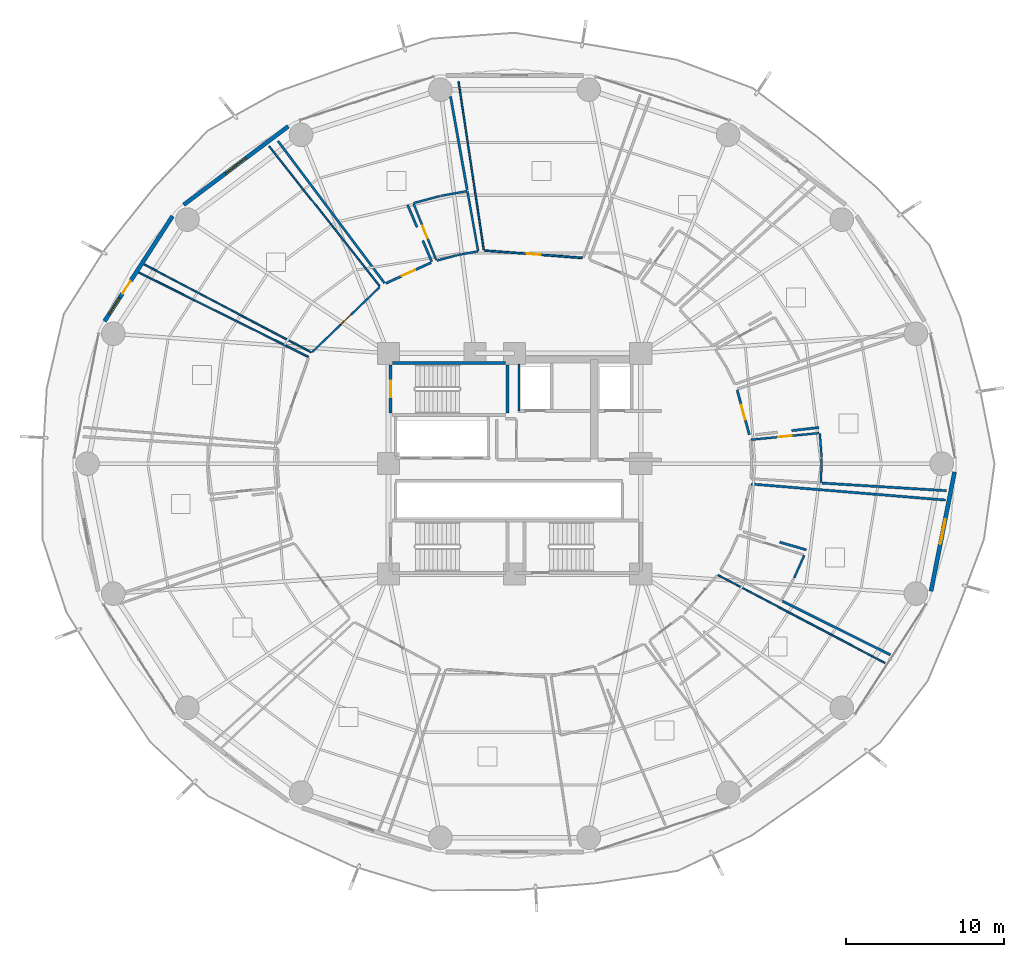
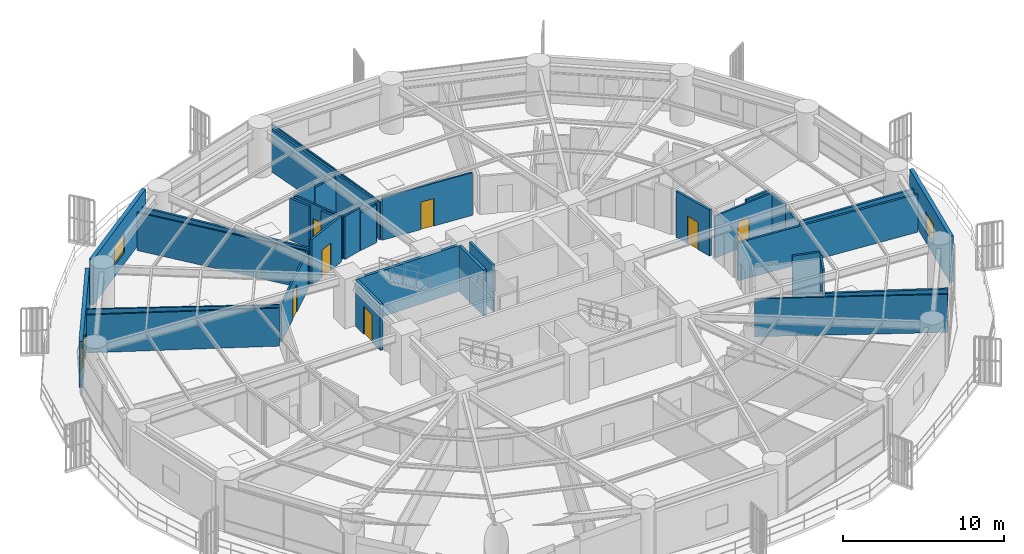
# One storey, part 25 of 32: 35 walls, 8 doors, 3 windows, 11 openings.
"""IFC4 building model written with IfcOpenShell, lengths in metres."""

from ifc_helpers import new_model, si_unit, direction, frame, frame_2d, origin, place, context, subcontext, project, spatial, rectangle, extrude, material, layer, layer_set, type_object, element, fill, save


model = new_model("IFC4")

# Units and contexts
model_context = context("Model", 3, precision=1e-05, world=origin(), true_north=direction((0.0, 1.0)))
body_context = subcontext(model_context, "Body", "Model", "MODEL_VIEW")
ifc_project = project(units=[si_unit("LENGTHUNIT", "METRE"), si_unit("AREAUNIT", "SQUARE_METRE"), si_unit("VOLUMEUNIT", "CUBIC_METRE"), si_unit("PLANEANGLEUNIT", "RADIAN"), si_unit("MASSUNIT", "GRAM", prefix="KILO")], contexts=[model_context])

# Site, building, storey
site_placement = place(None, origin())
site = spatial("IfcSite", under=ifc_project, at=site_placement, CompositionType="ELEMENT")
building_placement = place(site_placement, origin())
building = spatial("IfcBuilding", under=site, at=building_placement, Name="Kelanora Arch Commons", CompositionType="ELEMENT")
storey_placement = place(building_placement, frame((0.0, 0.0, 60.0)))
storey = spatial("IfcBuildingStorey", under=building, at=storey_placement, Name="L15", CompositionType="ELEMENT", Elevation=60.0)

# Wall
ifc_material_1 = material(Name="Autoclaved aerated concrete blockwork with fire plaster", Category="masonry")
ifc_layer_1 = layer(ifc_material_1, 0.14990234375)
ifc_layer_set_1 = layer_set([ifc_layer_1], Name="Autoclaved aerated concrete blockwork with fire plaster")
wall_type_1 = type_object("IfcWallType", Name="W-COMP-150", PredefinedType="PARTITIONING", material=ifc_layer_set_1)
wall_1_placement = place(storey_placement, frame((74.280029296875, 61.35009765625, 0.0), z_axis=(0.0, 0.0, 1.0), x_axis=(0.0, 1.0, 0.0)))
element("IfcWall", 1, at=wall_1_placement, inside=storey, type_object=wall_type_1, Name="Firefighting Lift 1 West Shaft Wall L15", PredefinedType="PARTITIONING", context=body_context, shape_type="SweptSolid", body=[
    extrude(rectangle(XDim=2.969970703125, YDim=0.14990234375, at=frame_2d((1.48486328125, 0.0))), origin(), (0.0, 0.0, 1.0), 3.47998046875),
])

# Wall, opening, door
wall_2_placement = place(storey_placement, frame((68.70849609375, 70.7509765625, 0.0), z_axis=(0.0, 0.0, 1.0), x_axis=(-0.909329201607, -0.416077400378, 0.0)))
wall_2 = element("IfcWall", 2, at=wall_2_placement, inside=storey, type_object=wall_type_1, Name="Co-Living Studio L15-04 Entry Partition", PredefinedType="PARTITIONING", context=body_context, shape_type="SweptSolid", body=[
    extrude(rectangle(XDim=3.160400390625, YDim=0.14990234375, at=frame_2d((1.580078125, 0.0))), origin(), (0.0, 0.0, 1.0), 3.47998046875),
])
opening_1_placement = place(wall_2_placement, frame((1.10498046875, 0.0, 0.0)))
opening_1 = element("IfcOpeningElement", 3, at=opening_1_placement, cuts=wall_2, Name="Opening D-CLU1", PredefinedType="OPENING", context=body_context, shape_type="SweptSolid", body=[
    extrude(rectangle(XDim=0.949951171875, YDim=2.080078125, at=frame_2d((0.47509765625, 1.0400390625))), frame((0.0, 0.0849609375, 0.0), z_axis=(0.0, -1.0, 0.0), x_axis=(1.0, 0.0, 0.0)), (0.0, 0.0, 1.0), 0.169921875),
])
ifc_material_2 = material(Name="Solid-core acoustic timber cluster entry fire door", Category="wood")
door_type_1 = type_object("IfcDoorType", Name="D-CLU-95", OperationType="NOTDEFINED", PredefinedType="DOOR", material=ifc_material_2)
door_1_placement = place(opening_1_placement, origin())
door_1 = element("IfcDoor", 4, at=door_1_placement, inside=storey, type_object=door_type_1, Name="Co-Living Studio L15-04 Door", OperationType="SINGLE_SWING_RIGHT", OverallHeight=2.080078125, OverallWidth=0.949951171875, PredefinedType="DOOR", context=body_context, shape_type="SweptSolid", body=[
    extrude(rectangle(XDim=0.949951171875, YDim=2.080078125, at=frame_2d((0.47509765625, 1.0400390625))), frame((0.0, 0.02490234375, 0.0), z_axis=(0.0, -1.0, 0.0), x_axis=(1.0, 0.0, 0.0)), (0.0, 0.0, 1.0), 0.050048828125),
])
fill(opening_1, door_1)

wall_3_placement = place(storey_placement, frame((88.88427734375, 59.844970703125, 0.0), z_axis=(0.0, 0.0, 1.0), x_axis=(-0.263653235341, 0.964617526014, 0.0)))
wall_3 = element("IfcWall", 5, at=wall_3_placement, inside=storey, type_object=wall_type_1, Name="Co-Living Studio L15-14 Entry Partition", PredefinedType="PARTITIONING", context=body_context, shape_type="SweptSolid", body=[
    extrude(rectangle(XDim=2.929931640625, YDim=0.14990234375, at=frame_2d((1.46484375, 0.0))), origin(), (0.0, 0.0, 1.0), 3.47998046875),
])
opening_2_placement = place(wall_3_placement, frame((0.989990234375, 0.0, 0.0)))
opening_2 = element("IfcOpeningElement", 6, at=opening_2_placement, cuts=wall_3, Name="Opening D-CLU1", PredefinedType="OPENING", context=body_context, shape_type="SweptSolid", body=[
    extrude(rectangle(XDim=0.949951171875, YDim=2.080078125, at=frame_2d((0.47509765625, 1.0400390625))), frame((0.0, 0.0849609375, 0.0), z_axis=(0.0, -1.0, 0.0), x_axis=(1.0, 0.0, 0.0)), (0.0, 0.0, 1.0), 0.169921875),
])
door_2_placement = place(opening_2_placement, origin())
door_2 = element("IfcDoor", 7, at=door_2_placement, inside=storey, type_object=door_type_1, Name="Co-Living Studio L15-14 Door", OperationType="SINGLE_SWING_LEFT", OverallHeight=2.080078125, OverallWidth=0.949951171875, PredefinedType="DOOR", context=body_context, shape_type="SweptSolid", body=[
    extrude(rectangle(XDim=0.949951171875, YDim=2.080078125, at=frame_2d((0.47509765625, 1.0400390625))), frame((0.0, 0.02490234375, 0.0), z_axis=(0.0, -1.0, 0.0), x_axis=(1.0, 0.0, 0.0)), (0.0, 0.0, 1.0), 0.050048828125),
])
fill(opening_2, door_2)

# Walls
wall_4_placement = place(storey_placement, frame((65.756103515625, 69.443115234375, 0.0), z_axis=(0.0, 0.0, 1.0), x_axis=(-0.599892569248, 0.800080561794, 0.0)))
element("IfcWall", 8, at=wall_4_placement, inside=storey, type_object=wall_type_1, Name="Co-Living Studio L15-04 Enclosure Partition 2", PredefinedType="PARTITIONING", context=body_context, shape_type="SweptSolid", body=[
    extrude(rectangle(XDim=11.2724609375, YDim=0.14990234375, at=frame_2d((5.63623046875, 0.0))), origin(), (0.0, 0.0, 1.0), 2.875),
])
wall_5_placement = place(storey_placement, frame((69.938720703125, 81.278564453125, 0.0), z_axis=(0.0, 0.0, 1.0), x_axis=(0.175728719673, -0.98443863043, 0.0)))
element("IfcWall", 9, at=wall_5_placement, inside=storey, type_object=wall_type_1, Name="Co-Living Studio L15-04 Enclosure Partition 5", PredefinedType="PARTITIONING", context=body_context, shape_type="SweptSolid", body=[
    extrude(rectangle(XDim=6.004638671875, YDim=0.14990234375, at=frame_2d((3.00244140625, 0.0))), origin(), (0.0, 0.0, 1.0), 3.235107421875),
])
wall_6_placement = place(storey_placement, frame((67.216796875, 74.400146484375, 0.0), z_axis=(0.0, 0.0, 1.0), x_axis=(0.392381203535, -0.919802691403, 0.0)))
element("IfcWall", 10, at=wall_6_placement, inside=storey, type_object=wall_type_1, Name="Co-Living Studio L15-04 Enclosure Partition 7", PredefinedType="PARTITIONING", context=body_context, shape_type="SweptSolid", body=[
    extrude(rectangle(XDim=1.533203125, YDim=0.14990234375, at=frame_2d((0.7666015625, 0.0))), origin(), (0.0, 0.0, 1.0), 3.175048828125),
])
wall_7_placement = place(storey_placement, frame((68.179443359375, 72.143798828125, 0.0), z_axis=(0.0, 0.0, 1.0), x_axis=(0.392412042959, -0.919789534916, 0.0)))
element("IfcWall", 11, at=wall_7_placement, inside=storey, type_object=wall_type_1, Name="Co-Living Studio L15-04 Enclosure Partition 7", PredefinedType="PARTITIONING", context=body_context, shape_type="SweptSolid", body=[
    extrude(rectangle(XDim=1.447021484375, YDim=0.14990234375, at=frame_2d((0.7236328125, 0.0))), origin(), (0.0, 0.0, 1.0), 3.235107421875),
])
wall_8_placement = place(storey_placement, frame((89.0029296875, 56.710693359375, 0.0), z_axis=(0.0, 0.0, 1.0), x_axis=(0.996604780232, -0.08233414856, 0.0)))
element("IfcWall", 12, at=wall_8_placement, inside=storey, type_object=wall_type_1, Name="Co-Living Studio L15-13 Enclosure Partition 2", PredefinedType="PARTITIONING", context=body_context, shape_type="SweptSolid", body=[
    extrude(rectangle(XDim=12.356201171875, YDim=0.14990234375, at=frame_2d((6.17822265625, 0.0))), origin(), (0.0, 0.0, 1.0), 2.875),
])
wall_9_placement = place(storey_placement, frame((97.8271484375, 45.87890625, 0.0), z_axis=(0.0, 0.0, 1.0), x_axis=(-0.89528739616, 0.445489032724, 0.0)))
element("IfcWall", 13, at=wall_9_placement, inside=storey, type_object=wall_type_1, Name="Co-Living Studio L15-13 Enclosure Partition 5", PredefinedType="PARTITIONING", context=body_context, shape_type="SweptSolid", body=[
    extrude(rectangle(XDim=7.648193359375, YDim=0.14990234375, at=frame_2d((3.82421875, 0.0))), origin(), (0.0, 0.0, 1.0), 2.875),
])
wall_10_placement = place(storey_placement, frame((92.49951171875, 52.5400390625, 0.0), z_axis=(0.0, 0.0, 1.0), x_axis=(-0.961450395183, 0.27497843116, 0.0)))
element("IfcWall", 14, at=wall_10_placement, inside=storey, type_object=wall_type_1, Name="Co-Living Studio L15-13 Enclosure Partition 7", PredefinedType="PARTITIONING", context=body_context, shape_type="SweptSolid", body=[
    extrude(rectangle(XDim=1.75439453125, YDim=0.14990234375, at=frame_2d((0.877197265625, 0.0))), origin(), (0.0, 0.0, 1.0), 3.47998046875),
])
wall_11_placement = place(storey_placement, frame((101.373046875, 56.288330078125, 0.0), z_axis=(0.0, 0.0, 1.0), x_axis=(-0.998135541011, 0.0610363971, 0.0)))
element("IfcWall", 15, at=wall_11_placement, inside=storey, type_object=wall_type_1, Name="Co-Living Studio L15-14 Enclosure Partition 5", PredefinedType="PARTITIONING", context=body_context, shape_type="SweptSolid", body=[
    extrude(rectangle(XDim=7.8837890625, YDim=0.14990234375, at=frame_2d((3.94189453125, 0.0))), origin(), (0.0, 0.0, 1.0), 2.875),
])
wall_12_placement = place(storey_placement, frame((93.30419921875, 60.29443359375, 0.0), z_axis=(0.0, 0.0, 1.0), x_axis=(-0.993432194787, -0.114422350794, 0.0)))
element("IfcWall", 16, at=wall_12_placement, inside=storey, type_object=wall_type_1, Name="Co-Living Studio L15-14 Enclosure Partition 7", PredefinedType="PARTITIONING", context=body_context, shape_type="SweptSolid", body=[
    extrude(rectangle(XDim=1.745361328125, YDim=0.14990234375, at=frame_2d((0.87255859375, 0.0))), origin(), (0.0, 0.0, 1.0), 3.175048828125),
])

# Wall, opening, window
ifc_material_3 = material(Name="Precast concrete C40/50 with terracotta rainscreen", Category="masonry")
ifc_layer_2 = layer(ifc_material_3, 0.260009765625)
ifc_layer_set_2 = layer_set([ifc_layer_2], Name="Precast concrete C40/50 with terracotta rainscreen")
wall_type_2 = type_object("IfcWallType", Name="W-EXT-TC", PredefinedType="SOLIDWALL", material=ifc_layer_set_2)
wall_13_placement = place(storey_placement, frame((59.651123046875, 79.38916015625, 0.0), z_axis=(0.0, 0.0, 1.0), x_axis=(-0.80030733173, -0.599590005569, 0.0)))
wall_13 = element("IfcWall", 17, at=wall_13_placement, inside=storey, type_object=wall_type_2, Name="Terracotta Exterior Wall L15-B06", PredefinedType="SOLIDWALL", context=body_context, shape_type="SweptSolid", body=[
    extrude(rectangle(XDim=8.29052734375, YDim=0.260009765625, at=frame_2d((4.145263671875, 0.0))), origin(), (0.0, 0.0, 1.0), 3.47509765625),
])
opening_3_placement = place(wall_13_placement, frame((3.344970703125, 0.0, 0.85009765625)))
opening_3 = element("IfcOpeningElement", 18, at=opening_3_placement, cuts=wall_13, Name="Opening WN-01", PredefinedType="OPENING", context=body_context, shape_type="SweptSolid", body=[
    extrude(rectangle(XDim=1.60009765625, YDim=1.449951171875, at=frame_2d((0.800048828125, 0.72509765625))), frame((0.0, 0.14013671875, 0.0), z_axis=(0.0, -1.0, 0.0), x_axis=(1.0, 0.0, 0.0)), (0.0, 0.0, 1.0), 0.280029296875),
])
ifc_material_4 = material(Name="Terracotta-anodised aluminium frame with operable low-E glazing", Category="masonry")
window_type_1 = type_object("IfcWindowType", Name="WIN-CL-18", PartitioningType="DOUBLE_PANEL_VERTICAL", PredefinedType="WINDOW", material=ifc_material_4)
window_1_placement = place(opening_3_placement, origin())
window_1 = element("IfcWindow", 19, at=window_1_placement, inside=storey, type_object=window_type_1, Name="Co-Living Operable Window L15-B06", OverallHeight=1.449951171875, OverallWidth=1.60009765625, PartitioningType="SINGLE_PANEL", PredefinedType="WINDOW", context=body_context, shape_type="SweptSolid", body=[
    extrude(rectangle(XDim=1.60009765625, YDim=1.449951171875, at=frame_2d((0.800048828125, 0.72509765625))), frame((0.0, 0.030029296875, 0.0), z_axis=(0.0, -1.0, 0.0), x_axis=(1.0, 0.0, 0.0)), (0.0, 0.0, 1.0), 0.06005859375),
])
fill(opening_3, window_1)

# Wall, openings, door, window
wall_14_placement = place(storey_placement, frame((52.310791015625, 73.698486328125, 0.0), z_axis=(0.0, 0.0, 1.0), x_axis=(-0.543005114258, -0.839729388488, 0.0)))
wall_14 = element("IfcWall", 20, at=wall_14_placement, inside=storey, type_object=wall_type_2, Name="Terracotta Exterior Wall L15-B07", PredefinedType="SOLIDWALL", context=body_context, shape_type="SweptSolid", body=[
    extrude(rectangle(XDim=7.9375, YDim=0.260009765625, at=frame_2d((3.96875, 0.0))), origin(), (0.0, 0.0, 1.0), 3.47509765625),
])
opening_4_placement = place(wall_14_placement, frame((4.89404296875, 0.0, 0.0)))
opening_4 = element("IfcOpeningElement", 21, at=opening_4_placement, cuts=wall_14, Name="Opening DB-01", PredefinedType="OPENING", context=body_context, shape_type="SweptSolid", body=[
    extrude(rectangle(XDim=0.949951171875, YDim=2.10009765625, at=frame_2d((0.47509765625, 1.050048828125))), frame((0.0, 0.14013671875, 0.0), z_axis=(0.0, -1.0, 0.0), x_axis=(1.0, 0.0, 0.0)), (0.0, 0.0, 1.0), 0.280029296875),
])
opening_5_placement = place(wall_14_placement, frame((6.194091796875, 0.0, 0.85009765625)))
opening_5 = element("IfcOpeningElement", 22, at=opening_5_placement, cuts=wall_14, Name="Opening WN-02", PredefinedType="OPENING", context=body_context, shape_type="SweptSolid", body=[
    extrude(rectangle(XDim=1.199951171875, YDim=1.449951171875, at=frame_2d((0.60009765625, 0.72509765625))), frame((0.0, 0.14013671875, 0.0), z_axis=(0.0, -1.0, 0.0), x_axis=(1.0, 0.0, 0.0)), (0.0, 0.0, 1.0), 0.280029296875),
])
ifc_material_5 = material(Name="Terracotta-aluminium thermally broken glazed balcony door", Category="masonry")
door_type_2 = type_object("IfcDoorType", Name="D-BAL-10", OperationType="NOTDEFINED", PredefinedType="DOOR", material=ifc_material_5)
door_3_placement = place(opening_4_placement, frame((0.949951171875, 0.0, 0.0), z_axis=(0.0, 0.0, 1.0), x_axis=(-1.0, 0.0, 0.0)))
door_3 = element("IfcDoor", 23, at=door_3_placement, inside=storey, type_object=door_type_2, Name="Wave Balcony Door L15-B07", OperationType="SINGLE_SWING_LEFT", OverallHeight=2.10009765625, OverallWidth=0.949951171875, PredefinedType="DOOR", context=body_context, shape_type="SweptSolid", body=[
    extrude(rectangle(XDim=0.949951171875, YDim=2.10009765625, at=frame_2d((0.47509765625, 1.050048828125))), frame((0.0, 0.02490234375, 0.0), z_axis=(0.0, -1.0, 0.0), x_axis=(1.0, 0.0, 0.0)), (0.0, 0.0, 1.0), 0.050048828125),
])
fill(opening_4, door_3)
ifc_material_6 = material(Name="Terracotta-anodised aluminium frame with operable awning sash", Category="masonry")
window_type_2 = type_object("IfcWindowType", Name="WIN-CL-12", PartitioningType="SINGLE_PANEL", PredefinedType="WINDOW", material=ifc_material_6)
window_2_placement = place(opening_5_placement, origin())
window_2 = element("IfcWindow", 24, at=window_2_placement, inside=storey, type_object=window_type_2, Name="Co-Living Operable Window L15-B07", OverallHeight=1.449951171875, OverallWidth=1.199951171875, PartitioningType="SINGLE_PANEL", PredefinedType="WINDOW", context=body_context, shape_type="SweptSolid", body=[
    extrude(rectangle(XDim=1.199951171875, YDim=1.449951171875, at=frame_2d((0.60009765625, 0.72509765625))), frame((0.0, 0.030029296875, 0.0), z_axis=(0.0, -1.0, 0.0), x_axis=(1.0, 0.0, 0.0)), (0.0, 0.0, 1.0), 0.06005859375),
])
fill(opening_5, window_2)

# Wall, opening, window
wall_15_placement = place(storey_placement, frame((100.404296875, 49.919921875, 0.0), z_axis=(0.0, 0.0, 1.0), x_axis=(0.193726159581, 0.98105564322, 0.0)))
wall_15 = element("IfcWall", 25, at=wall_15_placement, inside=storey, type_object=wall_type_2, Name="Terracotta Exterior Wall L15-B17", PredefinedType="SOLIDWALL", context=body_context, shape_type="SweptSolid", body=[
    extrude(rectangle(XDim=7.70263671875, YDim=0.260009765625, at=frame_2d((3.851318359375, 0.0))), origin(), (0.0, 0.0, 1.0), 3.47509765625),
])
opening_6_placement = place(wall_15_placement, frame((3.051025390625, 0.0, 0.85009765625)))
opening_6 = element("IfcOpeningElement", 26, at=opening_6_placement, cuts=wall_15, Name="Opening WN-01", PredefinedType="OPENING", context=body_context, shape_type="SweptSolid", body=[
    extrude(rectangle(XDim=1.60009765625, YDim=1.449951171875, at=frame_2d((0.800048828125, 0.72509765625))), frame((0.0, 0.14013671875, 0.0), z_axis=(0.0, -1.0, 0.0), x_axis=(1.0, 0.0, 0.0)), (0.0, 0.0, 1.0), 0.280029296875),
])
window_3_placement = place(opening_6_placement, origin())
window_3 = element("IfcWindow", 27, at=window_3_placement, inside=storey, type_object=window_type_1, Name="Co-Living Operable Window L15-B17", OverallHeight=1.449951171875, OverallWidth=1.60009765625, PartitioningType="SINGLE_PANEL", PredefinedType="WINDOW", context=body_context, shape_type="SweptSolid", body=[
    extrude(rectangle(XDim=1.60009765625, YDim=1.449951171875, at=frame_2d((0.800048828125, 0.72509765625))), frame((0.0, 0.030029296875, 0.0), z_axis=(0.0, -1.0, 0.0), x_axis=(1.0, 0.0, 0.0)), (0.0, 0.0, 1.0), 0.06005859375),
])
fill(opening_6, window_3)

# Walls
ifc_material_7 = material(Name="Lightweight fire-rated acoustic stud partition")
ifc_layer_3 = layer(ifc_material_7, 0.10009765625)
ifc_layer_set_3 = layer_set([ifc_layer_3], Name="Lightweight fire-rated acoustic stud partition")
wall_type_3 = type_object("IfcWallType", Name="W-PART-100", PredefinedType="PARTITIONING", material=ifc_layer_set_3)
wall_16_placement = place(storey_placement, frame((72.047119140625, 71.5546875, 0.0), z_axis=(0.0, 0.0, 1.0), x_axis=(-0.148282966471, 0.988944974129, 0.0)))
element("IfcWall", 28, at=wall_16_placement, inside=storey, type_object=wall_type_3, Name="Communal Dining and Social Hall L15-03 Enclosure Partition 2", PredefinedType="PARTITIONING", context=body_context, shape_type="SweptSolid", body=[
    extrude(rectangle(XDim=10.799072265625, YDim=0.10009765625, at=frame_2d((5.3994140625, 0.0))), origin(), (0.0, 0.0, 1.0), 2.875),
])
wall_17_placement = place(storey_placement, frame((61.0986328125, 65.064697265625, 0.0), z_axis=(0.0, 0.0, 1.0), x_axis=(-0.884914680824, 0.46575316173, 0.0)))
element("IfcWall", 29, at=wall_17_placement, inside=storey, type_object=wall_type_3, Name="Quiet Seminar Study Room L15-05 Enclosure Partition 2", PredefinedType="PARTITIONING", context=body_context, shape_type="SweptSolid", body=[
    extrude(rectangle(XDim=11.962890625, YDim=0.10009765625, at=frame_2d((5.9814453125, 0.0))), origin(), (0.0, 0.0, 1.0), 2.875),
])
wall_18_placement = place(storey_placement, frame((58.437744140625, 78.129638671875, 0.0), z_axis=(0.0, 0.0, 1.0), x_axis=(0.620037561985, -0.78457212653, 0.0)))
element("IfcWall", 30, at=wall_18_placement, inside=storey, type_object=wall_type_3, Name="Quiet Seminar Study Room L15-05 Enclosure Partition 4", PredefinedType="PARTITIONING", context=body_context, shape_type="SweptSolid", body=[
    extrude(rectangle(XDim=11.309814453125, YDim=0.10009765625, at=frame_2d((5.65478515625, 0.0))), origin(), (0.0, 0.0, 1.0), 2.875),
])
wall_19_placement = place(storey_placement, frame((50.1728515625, 70.12109375, 0.0), z_axis=(0.0, 0.0, 1.0), x_axis=(0.895272258208, -0.445519453764, 0.0)))
element("IfcWall", 31, at=wall_19_placement, inside=storey, type_object=wall_type_3, Name="Social Sky Lounge L15-06 Enclosure Partition 4", PredefinedType="PARTITIONING", context=body_context, shape_type="SweptSolid", body=[
    extrude(rectangle(XDim=11.99560546875, YDim=0.10009765625, at=frame_2d((5.997802734375, 0.0))), origin(), (0.0, 0.0, 1.0), 2.875),
])
wall_20_placement = place(storey_placement, frame((86.9013671875, 50.935302734375, 0.0), z_axis=(0.0, 0.0, 1.0), x_axis=(0.884914680824, -0.46575316173, 0.0)))
element("IfcWall", 32, at=wall_20_placement, inside=storey, type_object=wall_type_3, Name="Tutorial Study Alcove L15-12 Enclosure Partition 2", PredefinedType="PARTITIONING", context=body_context, shape_type="SweptSolid", body=[
    extrude(rectangle(XDim=11.962890625, YDim=0.10009765625, at=frame_2d((5.9814453125, 0.0))), origin(), (0.0, 0.0, 1.0), 2.875),
])

# Wall, opening, door
ifc_material_8 = material(Name="Acoustic twin-stud fire-rated gypsum partition")
ifc_layer_4 = layer(ifc_material_8, 0.1201171875)
ifc_layer_set_4 = layer_set([ifc_layer_4], Name="Acoustic twin-stud fire-rated gypsum partition")
wall_type_4 = type_object("IfcWallType", Name="W-PART-120", PredefinedType="PARTITIONING", material=ifc_layer_set_4)
wall_21_placement = place(storey_placement, frame((78.30224609375, 71.047607421875, 0.0), z_axis=(0.0, 0.0, 1.0), x_axis=(-0.997215128993, 0.074578726908, 0.0)))
wall_21 = element("IfcWall", 33, at=wall_21_placement, inside=storey, type_object=wall_type_4, Name="Communal Dining and Social Hall L15-03 Entry Partition", PredefinedType="PARTITIONING", context=body_context, shape_type="SweptSolid", body=[
    extrude(rectangle(XDim=6.206787109375, YDim=0.1201171875, at=frame_2d((3.103515625, 0.0))), origin(), (0.0, 0.0, 1.0), 3.235107421875),
])
opening_7_placement = place(wall_21_placement, frame((2.653076171875, 0.0, 0.0)))
opening_7 = element("IfcOpeningElement", 34, at=opening_7_placement, cuts=wall_21, Name="Opening D-RM1", PredefinedType="OPENING", context=body_context, shape_type="SweptSolid", body=[
    extrude(rectangle(XDim=0.89990234375, YDim=2.080078125, at=frame_2d((0.449951171875, 1.0400390625))), frame((0.0, 0.070068359375, 0.0), z_axis=(0.0, -1.0, 0.0), x_axis=(1.0, 0.0, 0.0)), (0.0, 0.0, 1.0), 0.14013671875),
])
ifc_material_9 = material(Name="Acoustic fire-rated timber study and lounge door", Category="wood")
door_type_3 = type_object("IfcDoorType", Name="D-ROOM-90", OperationType="NOTDEFINED", PredefinedType="DOOR", material=ifc_material_9)
door_4_placement = place(opening_7_placement, origin())
door_4 = element("IfcDoor", 35, at=door_4_placement, inside=storey, type_object=door_type_3, Name="Communal Dining and Social Hall L15-03 Door", OperationType="SINGLE_SWING_RIGHT", OverallHeight=2.080078125, OverallWidth=0.89990234375, PredefinedType="DOOR", context=body_context, shape_type="SweptSolid", body=[
    extrude(rectangle(XDim=0.89990234375, YDim=2.080078125, at=frame_2d((0.449951171875, 1.0400390625))), frame((0.0, 0.02490234375, 0.0), z_axis=(0.0, -1.0, 0.0), x_axis=(1.0, 0.0, 0.0)), (0.0, 0.0, 1.0), 0.050048828125),
])
fill(opening_7, door_4)

wall_22_placement = place(storey_placement, frame((65.431884765625, 69.183349609375, 0.0), z_axis=(0.0, 0.0, 1.0), x_axis=(-0.720434955678, -0.69352251199, 0.0)))
wall_22 = element("IfcWall", 36, at=wall_22_placement, inside=storey, type_object=wall_type_4, Name="Quiet Seminar Study Room L15-05 Entry Partition", PredefinedType="PARTITIONING", context=body_context, shape_type="SweptSolid", body=[
    extrude(rectangle(XDim=5.90576171875, YDim=0.1201171875, at=frame_2d((2.952880859375, 0.0))), origin(), (0.0, 0.0, 1.0), 2.875),
])
opening_8_placement = place(wall_22_placement, frame((2.5029296875, 0.0, 0.0)))
opening_8 = element("IfcOpeningElement", 37, at=opening_8_placement, cuts=wall_22, Name="Opening D-RM1", PredefinedType="OPENING", context=body_context, shape_type="SweptSolid", body=[
    extrude(rectangle(XDim=0.89990234375, YDim=2.080078125, at=frame_2d((0.449951171875, 1.0400390625))), frame((0.0, 0.070068359375, 0.0), z_axis=(0.0, -1.0, 0.0), x_axis=(1.0, 0.0, 0.0)), (0.0, 0.0, 1.0), 0.14013671875),
])
door_5_placement = place(opening_8_placement, origin())
door_5 = element("IfcDoor", 38, at=door_5_placement, inside=storey, type_object=door_type_3, Name="Quiet Seminar Study Room L15-05 Door", OperationType="SINGLE_SWING_LEFT", OverallHeight=2.080078125, OverallWidth=0.89990234375, PredefinedType="DOOR", context=body_context, shape_type="SweptSolid", body=[
    extrude(rectangle(XDim=0.89990234375, YDim=2.080078125, at=frame_2d((0.449951171875, 1.0400390625))), frame((0.0, 0.02490234375, 0.0), z_axis=(0.0, -1.0, 0.0), x_axis=(1.0, 0.0, 0.0)), (0.0, 0.0, 1.0), 0.050048828125),
])
fill(opening_8, door_5)

# Walls
ifc_material_10 = material(Name="Concrete C40/50", Category="concrete")
ifc_layer_5 = layer(ifc_material_10, 0.199951171875)
ifc_layer_set_5 = layer_set([ifc_layer_5], Name="Concrete C40/50")
wall_type_5 = type_object("IfcWallType", Name="W-STAIR-200", PredefinedType="SHEAR", material=ifc_layer_set_5)
wall_23_placement = place(storey_placement, frame((73.5400390625, 61.199951171875, 0.0), z_axis=(0.0, 0.0, 1.0), x_axis=(0.0, 1.0, 0.0)))
element("IfcWall", 39, at=wall_23_placement, inside=storey, type_object=wall_type_5, Name="Stair ST-T1 Shaft Wall E L15", PredefinedType="SHEAR", context=body_context, shape_type="SweptSolid", body=[
    extrude(rectangle(XDim=3.070068359375, YDim=0.199951171875, at=frame_2d((1.53515625, 0.0))), origin(), (0.0, 0.0, 1.0), 3.489990234375),
])
wall_24_placement = place(storey_placement, frame((73.419921875, 64.389892578125, 0.0), z_axis=(0.0, 0.0, 1.0), x_axis=(-1.0, 0.0, 0.0)))
element("IfcWall", 40, at=wall_24_placement, inside=storey, type_object=wall_type_5, Name="Stair ST-T1 Shaft Wall N L15", PredefinedType="SHEAR", context=body_context, shape_type="SweptSolid", body=[
    extrude(rectangle(XDim=7.159912109375, YDim=0.199951171875, at=frame_2d((3.580078125, 0.0))), origin(), (0.0, 0.0, 1.0), 3.489990234375),
])

# Wall, opening, door
wall_25_placement = place(storey_placement, frame((66.139892578125, 64.27001953125, 0.0), z_axis=(0.0, 0.0, 1.0), x_axis=(0.0, -1.0, 0.0)))
wall_25 = element("IfcWall", 41, at=wall_25_placement, inside=storey, type_object=wall_type_5, Name="Stair ST-T1 Shaft Wall W L15", PredefinedType="SHEAR", context=body_context, shape_type="SweptSolid", body=[
    extrude(rectangle(XDim=3.070068359375, YDim=0.199951171875, at=frame_2d((1.53515625, 0.0))), origin(), (0.0, 0.0, 1.0), 3.489990234375),
])
opening_9_placement = place(wall_25_placement, frame((1.010009765625, 0.0, 0.0)))
opening_9 = element("IfcOpeningElement", 42, at=opening_9_placement, cuts=wall_25, Name="Opening D-ST1", PredefinedType="OPENING", context=body_context, shape_type="SweptSolid", body=[
    extrude(rectangle(XDim=1.050048828125, YDim=2.10009765625, at=frame_2d((0.52490234375, 1.050048828125))), frame((0.0, 0.10986328125, 0.0), z_axis=(0.0, -1.0, 0.0), x_axis=(1.0, 0.0, 0.0)), (0.0, 0.0, 1.0), 0.219970703125),
])
ifc_material_11 = material(Name="Steel fire-rated stairwell escape door", Category="steel")
door_type_4 = type_object("IfcDoorType", Name="D-STAIR-110", OperationType="NOTDEFINED", PredefinedType="DOOR", material=ifc_material_11)
door_6_placement = place(opening_9_placement, origin())
door_6 = element("IfcDoor", 43, at=door_6_placement, inside=storey, type_object=door_type_4, Name="Stair ST-T1 Escape Door L15", OperationType="SINGLE_SWING_LEFT", OverallHeight=2.10009765625, OverallWidth=1.050048828125, PredefinedType="DOOR", context=body_context, shape_type="SweptSolid", body=[
    extrude(rectangle(XDim=1.050048828125, YDim=2.10009765625, at=frame_2d((0.52490234375, 1.050048828125))), frame((0.0, 0.02490234375, 0.0), z_axis=(0.0, -1.0, 0.0), x_axis=(1.0, 0.0, 0.0)), (0.0, 0.0, 1.0), 0.050048828125),
])
fill(opening_9, door_6)

ifc_material_12 = material(Name="Moisture-resistant fire-rated cement-board plumbing wall")
ifc_layer_6 = layer(ifc_material_12, 0.1298828125)
ifc_layer_set_6 = layer_set([ifc_layer_6], Name="Moisture-resistant fire-rated cement-board plumbing wall")
wall_type_6 = type_object("IfcWallType", Name="W-WET-120", PredefinedType="PLUMBINGWALL", material=ifc_layer_set_6)
wall_26_placement = place(storey_placement, frame((69.024658203125, 70.9248046875, 0.0), z_axis=(0.0, 0.0, 1.0), x_axis=(-0.372295813282, 0.928114124132, 0.0)))
wall_26 = element("IfcWall", 44, at=wall_26_placement, inside=storey, type_object=wall_type_6, Name="En-Suite Shower WC L15-04 Entry Partition", PredefinedType="PLUMBINGWALL", context=body_context, shape_type="SweptSolid", body=[
    extrude(rectangle(XDim=3.812744140625, YDim=0.1298828125, at=frame_2d((1.90625, 0.0))), origin(), (0.0, 0.0, 1.0), 3.175048828125),
])
opening_10_placement = place(wall_26_placement, frame((1.47607421875, 0.0, 0.0)))
opening_10 = element("IfcOpeningElement", 45, at=opening_10_placement, cuts=wall_26, Name="Opening D-BT1", PredefinedType="OPENING", context=body_context, shape_type="SweptSolid", body=[
    extrude(rectangle(XDim=0.860107421875, YDim=2.050048828125, at=frame_2d((0.43017578125, 1.02490234375))), frame((0.0, 0.074951171875, 0.0), z_axis=(0.0, -1.0, 0.0), x_axis=(1.0, 0.0, 0.0)), (0.0, 0.0, 1.0), 0.14990234375),
])
ifc_material_13 = material(Name="Moisture-sealed fire-rated accessible bathroom door")
door_type_5 = type_object("IfcDoorType", Name="D-BATH-85", OperationType="NOTDEFINED", PredefinedType="DOOR", material=ifc_material_13)
door_7_placement = place(opening_10_placement, origin())
door_7 = element("IfcDoor", 46, at=door_7_placement, inside=storey, type_object=door_type_5, Name="En-Suite Shower WC L15-04 Door", OperationType="SINGLE_SWING_LEFT", OverallHeight=2.050048828125, OverallWidth=0.860107421875, PredefinedType="DOOR", context=body_context, shape_type="SweptSolid", body=[
    extrude(rectangle(XDim=0.860107421875, YDim=2.050048828125, at=frame_2d((0.43017578125, 1.02490234375))), frame((0.0, 0.02490234375, 0.0), z_axis=(0.0, -1.0, 0.0), x_axis=(1.0, 0.0, 0.0)), (0.0, 0.0, 1.0), 0.050048828125),
])
fill(opening_10, door_7)

wall_27_placement = place(storey_placement, frame((88.99658203125, 59.521728515625, 0.0), z_axis=(0.0, 0.0, 1.0), x_axis=(0.995308448338, 0.096752739847, 0.0)))
wall_27 = element("IfcWall", 47, at=wall_27_placement, inside=storey, type_object=wall_type_6, Name="En-Suite Shower WC L15-14 Entry Partition", PredefinedType="PLUMBINGWALL", context=body_context, shape_type="SweptSolid", body=[
    extrude(rectangle(XDim=4.31494140625, YDim=0.1298828125, at=frame_2d((2.157470703125, 0.0))), origin(), (0.0, 0.0, 1.0), 3.175048828125),
])
opening_11_placement = place(wall_27_placement, frame((1.72705078125, 0.0, 0.0)))
opening_11 = element("IfcOpeningElement", 48, at=opening_11_placement, cuts=wall_27, Name="Opening D-BT1", PredefinedType="OPENING", context=body_context, shape_type="SweptSolid", body=[
    extrude(rectangle(XDim=0.860107421875, YDim=2.050048828125, at=frame_2d((0.43017578125, 1.02490234375))), frame((0.0, 0.074951171875, 0.0), z_axis=(0.0, -1.0, 0.0), x_axis=(1.0, 0.0, 0.0)), (0.0, 0.0, 1.0), 0.14990234375),
])
door_8_placement = place(opening_11_placement, origin())
door_8 = element("IfcDoor", 49, at=door_8_placement, inside=storey, type_object=door_type_5, Name="En-Suite Shower WC L15-14 Door", OperationType="SINGLE_SWING_RIGHT", OverallHeight=2.050048828125, OverallWidth=0.860107421875, PredefinedType="DOOR", context=body_context, shape_type="SweptSolid", body=[
    extrude(rectangle(XDim=0.860107421875, YDim=2.050048828125, at=frame_2d((0.43017578125, 1.02490234375))), frame((0.0, 0.02490234375, 0.0), z_axis=(0.0, -1.0, 0.0), x_axis=(1.0, 0.0, 0.0)), (0.0, 0.0, 1.0), 0.050048828125),
])
fill(opening_11, door_8)

# Walls
wall_28_placement = place(storey_placement, frame((71.67041015625, 71.46435546875, 0.0), z_axis=(0.0, 0.0, 1.0), x_axis=(-0.983620231748, -0.180253265423, 0.0)))
element("IfcWall", 50, at=wall_28_placement, inside=storey, type_object=wall_type_6, Name="En-Suite Shower WC L15-04 Enclosure Partition 1", PredefinedType="PLUMBINGWALL", context=body_context, shape_type="SweptSolid", body=[
    extrude(rectangle(XDim=1.3193359375, YDim=0.1298828125, at=frame_2d((0.65966796875, 0.0))), origin(), (0.0, 0.0, 1.0), 2.875),
])
wall_29_placement = place(storey_placement, frame((70.333740234375, 71.2177734375, 0.0), z_axis=(0.0, 0.0, 1.0), x_axis=(-0.965174550562, -0.261606741021, 0.0)))
element("IfcWall", 51, at=wall_29_placement, inside=storey, type_object=wall_type_6, Name="En-Suite Shower WC L15-04 Enclosure Partition 2", PredefinedType="PLUMBINGWALL", context=body_context, shape_type="SweptSolid", body=[
    extrude(rectangle(XDim=1.31298828125, YDim=0.1298828125, at=frame_2d((0.656494140625, 0.0))), origin(), (0.0, 0.0, 1.0), 3.235107421875),
])
wall_30_placement = place(storey_placement, frame((67.602294921875, 74.524169921875, 0.0), z_axis=(0.0, 0.0, 1.0), x_axis=(0.96583848403, 0.259144791123, 0.0)))
element("IfcWall", 52, at=wall_30_placement, inside=storey, type_object=wall_type_6, Name="En-Suite Shower WC L15-04 Enclosure Partition 4", PredefinedType="PLUMBINGWALL", context=body_context, shape_type="SweptSolid", body=[
    extrude(rectangle(XDim=1.7119140625, YDim=0.1298828125, at=frame_2d((0.85595703125, 0.0))), origin(), (0.0, 0.0, 1.0), 3.175048828125),
])
wall_31_placement = place(storey_placement, frame((69.294677734375, 74.9765625, 0.0), z_axis=(0.0, 0.0, 1.0), x_axis=(0.983858555359, 0.178947878019, 0.0)))
element("IfcWall", 53, at=wall_31_placement, inside=storey, type_object=wall_type_6, Name="En-Suite Shower WC L15-04 Enclosure Partition 5", PredefinedType="PLUMBINGWALL", context=body_context, shape_type="SweptSolid", body=[
    extrude(rectangle(XDim=1.720458984375, YDim=0.1298828125, at=frame_2d((0.8603515625, 0.0))), origin(), (0.0, 0.0, 1.0), 2.875),
])
wall_32_placement = place(storey_placement, frame((71.010498046875, 75.268310546875, 0.0), z_axis=(0.0, 0.0, 1.0), x_axis=(0.176026055589, -0.984385507692, 0.0)))
element("IfcWall", 54, at=wall_32_placement, inside=storey, type_object=wall_type_6, Name="En-Suite Shower WC L15-04 Enclosure Partition 6", PredefinedType="PLUMBINGWALL", context=body_context, shape_type="SweptSolid", body=[
    extrude(rectangle(XDim=3.840576171875, YDim=0.1298828125, at=frame_2d((1.92041015625, 0.0))), origin(), (0.0, 0.0, 1.0), 3.175048828125),
])
wall_33_placement = place(storey_placement, frame((92.36572265625, 52.190673828125, 0.0), z_axis=(0.0, 0.0, 1.0), x_axis=(-0.408383071263, -0.912810641429, 0.0)))
element("IfcWall", 55, at=wall_33_placement, inside=storey, type_object=wall_type_6, Name="En-Suite Shower WC L15-13 Enclosure Partition 4", PredefinedType="PLUMBINGWALL", context=body_context, shape_type="SweptSolid", body=[
    extrude(rectangle(XDim=1.573486328125, YDim=0.1298828125, at=frame_2d((0.78662109375, 0.0))), origin(), (0.0, 0.0, 1.0), 3.47998046875),
])
wall_34_placement = place(storey_placement, frame((93.3525390625, 59.925048828125, 0.0), z_axis=(0.0, 0.0, 1.0), x_axis=(0.07367990301, -0.997281942027, 0.0)))
element("IfcWall", 56, at=wall_34_placement, inside=storey, type_object=wall_type_6, Name="En-Suite Shower WC L15-14 Enclosure Partition 4", PredefinedType="PLUMBINGWALL", context=body_context, shape_type="SweptSolid", body=[
    extrude(rectangle(XDim=1.54736328125, YDim=0.1298828125, at=frame_2d((0.773681640625, 0.0))), origin(), (0.0, 0.0, 1.0), 3.175048828125),
])
wall_35_placement = place(storey_placement, frame((93.46728515625, 58.342041015625, 0.0), z_axis=(0.0, 0.0, 1.0), x_axis=(-0.02760506688, -0.999618907526, 0.0)))
element("IfcWall", 57, at=wall_35_placement, inside=storey, type_object=wall_type_6, Name="En-Suite Shower WC L15-14 Enclosure Partition 5", PredefinedType="PLUMBINGWALL", context=body_context, shape_type="SweptSolid", body=[
    extrude(rectangle(XDim=1.547607421875, YDim=0.1298828125, at=frame_2d((0.77392578125, 0.0))), origin(), (0.0, 0.0, 1.0), 2.875),
])

save(model, "model.ifc")
